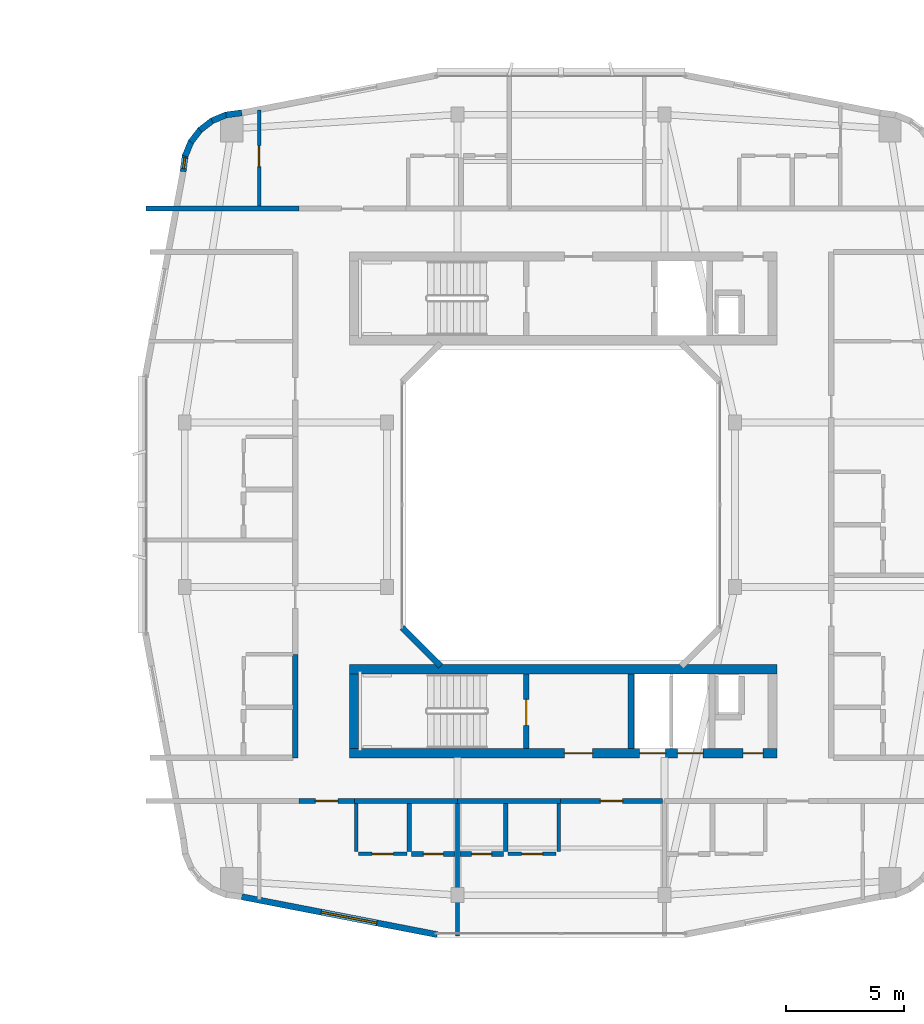
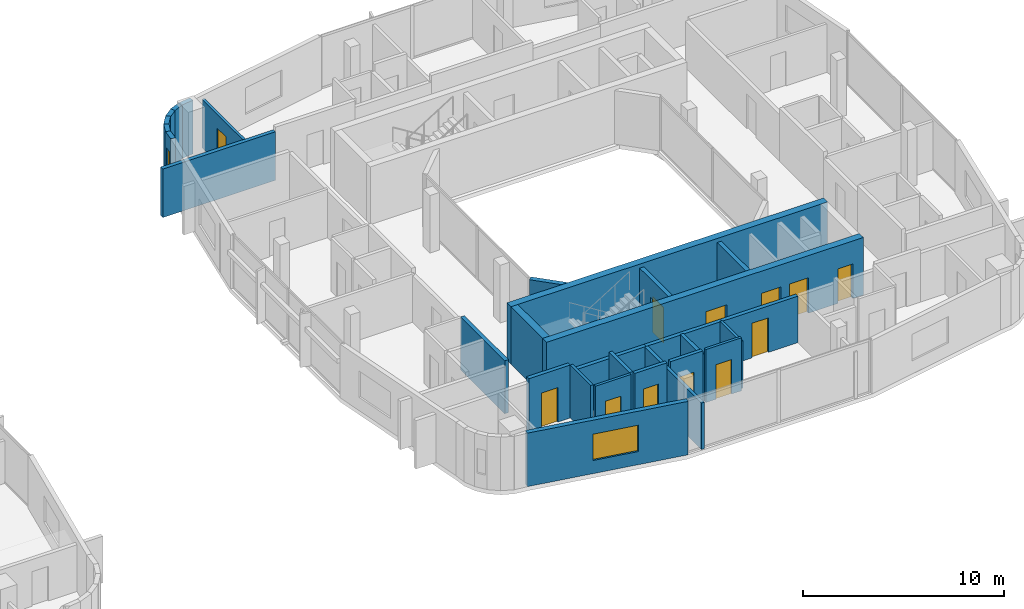
# One storey, part 17 of 26: 29 walls, 12 doors, 2 windows, 14 openings.
"""IFC4 building model written with IfcOpenShell, lengths in metres."""

from ifc_helpers import new_model, si_unit, derived_unit, direction, frame, frame_2d, origin, place, context, subcontext, project, spatial, rectangle, extrude, material, layer, layer_set, type_object, element, fill, save


model = new_model("IFC4")

# Units and contexts
model_context = context("Model", 3, precision=1e-05, world=origin(), true_north=direction((0.0, 1.0)))
body_context = subcontext(model_context, "Body", "Model", "MODEL_VIEW")
ifc_project = project(units=[si_unit("LENGTHUNIT", "METRE"), si_unit("AREAUNIT", "SQUARE_METRE"), si_unit("VOLUMEUNIT", "CUBIC_METRE"), si_unit("PLANEANGLEUNIT", "RADIAN"), si_unit("MASSUNIT", "GRAM", prefix="KILO"), derived_unit("THERMALTRANSMITTANCEUNIT", [(si_unit("POWERUNIT", "WATT"), 1), (si_unit("LENGTHUNIT", "METRE"), -2), (si_unit("THERMODYNAMICTEMPERATUREUNIT", "KELVIN"), -1)])], contexts=[model_context])

# Site, building, storey
site_placement = place(None, origin())
site = spatial("IfcSite", under=ifc_project, at=site_placement, CompositionType="ELEMENT")
building_placement = place(site_placement, origin())
building = spatial("IfcBuilding", under=site, at=building_placement, Name="Kivonza Crest Hotel", CompositionType="ELEMENT")
storey_placement = place(building_placement, frame((0.0, 0.0, 109.0)))
storey = spatial("IfcBuildingStorey", under=building, at=storey_placement, Name="L29", CompositionType="ELEMENT", Elevation=109.0)

# Walls
ifc_material_1 = material(Name="High-density acoustic masonry inter-tenancy wall", Category="masonry")
ifc_layer_1 = layer(ifc_material_1, 0.179931640625)
ifc_layer_set_1 = layer_set([ifc_layer_1], Name="High-density acoustic masonry inter-tenancy wall")
wall_type_1 = type_object("IfcWallType", Name="WL-ACOU-180", PredefinedType="SOLIDWALL", material=ifc_layer_set_1)
wall_1_placement = place(storey_placement, frame((72.60009765625, 6.659912109375, 0.0), z_axis=(0.0, 0.0, 1.0), x_axis=(0.0, 1.0, 0.0)))
element("IfcWall", 1, at=wall_1_placement, inside=storey, type_object=wall_type_1, Name="L29 interior partition WA-L29-T2S-DIV1", PredefinedType="SOLIDWALL", context=body_context, shape_type="SweptSolid", body=[
    extrude(rectangle(XDim=5.739990234375, YDim=0.179931640625, at=frame_2d((2.8701171875, 0.0))), origin(), (0.0, 0.0, 1.0), 2.824951171875),
])
ifc_material_2 = material(Name="Autoclaved aerated concrete blockwork", Category="masonry")
ifc_layer_2 = layer(ifc_material_2, 0.219970703125)
ifc_layer_set_2 = layer_set([ifc_layer_2], Name="Autoclaved aerated concrete blockwork")
wall_type_2 = type_object("IfcWallType", Name="WL-ACOU-220", PredefinedType="SOLIDWALL", material=ifc_layer_set_2)
wall_2_placement = place(storey_placement, frame((59.360107421875, 37.60009765625, 0.0), z_axis=(0.0, 0.0, 1.0), x_axis=(1.0, 0.0, 0.0)))
element("IfcWall", 2, at=wall_2_placement, inside=storey, type_object=wall_type_2, Name="L29 interior partition WA-L29-A01-LCORR", PredefinedType="SOLIDWALL", context=body_context, shape_type="SweptSolid", body=[
    extrude(rectangle(XDim=6.489990234375, YDim=0.219970703125, at=frame_2d((3.2451171875, 0.0))), origin(), (0.0, 0.0, 1.0), 2.945068359375),
])
wall_3_placement = place(storey_placement, frame((68.219970703125, 12.39990234375, 0.0), z_axis=(0.0, 0.0, 1.0), x_axis=(1.0, 0.0, 0.0)))
element("IfcWall", 3, at=wall_3_placement, inside=storey, type_object=wall_type_2, Name="L29 interior partition WA-L29-A03-RCORR", PredefinedType="SOLIDWALL", context=body_context, shape_type="SweptSolid", body=[
    extrude(rectangle(XDim=4.380126953125, YDim=0.219970703125, at=frame_2d((2.18994140625, 0.0))), origin(), (0.0, 0.0, 1.0), 2.824951171875),
])

# Wall, opening, door
wall_4_placement = place(storey_placement, frame((65.85009765625, 12.39990234375, 0.0), z_axis=(0.0, 0.0, 1.0), x_axis=(1.0, 0.0, 0.0)))
wall_4 = element("IfcWall", 4, at=wall_4_placement, inside=storey, type_object=wall_type_2, Name="L29 interior partition WA-L29-A03-MCORR", PredefinedType="SOLIDWALL", context=body_context, shape_type="SweptSolid", body=[
    extrude(rectangle(XDim=2.369873046875, YDim=0.219970703125, at=frame_2d((1.18505859375, 0.0))), origin(), (0.0, 0.0, 1.0), 3.219970703125),
])
opening_1_placement = place(wall_4_placement, frame((0.7099609375, 0.0, 0.0)))
opening_1 = element("IfcOpeningElement", 5, at=opening_1_placement, cuts=wall_4, Name="Opening DU-60", PredefinedType="OPENING", context=body_context, shape_type="SweptSolid", body=[
    extrude(rectangle(XDim=0.949951171875, YDim=2.10009765625, at=frame_2d((0.47509765625, 1.050048828125))), frame((0.0, 0.1201171875, 0.0), z_axis=(0.0, -1.0, 0.0), x_axis=(1.0, 0.0, 0.0)), (0.0, 0.0, 1.0), 0.239990234375),
])
ifc_material_3 = material(Name="Hardwood timber oak", Category="wood")
door_type_1 = type_object("IfcDoorType", Name="DR-UNIT-950", OperationType="NOTDEFINED", PredefinedType="DOOR", material=ifc_material_3)
door_1_placement = place(opening_1_placement, frame((0.949951171875, 0.0, 0.0), z_axis=(0.0, 0.0, 1.0), x_axis=(-1.0, 0.0, 0.0)))
door_1 = element("IfcDoor", 6, at=door_1_placement, inside=storey, type_object=door_type_1, Name="L29 A03 apartment entrance fire door", OperationType="SINGLE_SWING_LEFT", OverallHeight=2.10009765625, OverallWidth=0.949951171875, PredefinedType="DOOR", context=body_context, shape_type="SweptSolid", body=[
    extrude(rectangle(XDim=0.949951171875, YDim=2.10009765625, at=frame_2d((0.47509765625, 1.050048828125))), frame((0.0, 0.02490234375, 0.0), z_axis=(0.0, -1.0, 0.0), x_axis=(1.0, 0.0, 0.0)), (0.0, 0.0, 1.0), 0.050048828125),
])
fill(opening_1, door_1)

# Wall
wall_5_placement = place(storey_placement, frame((72.60009765625, 12.39990234375, 0.0), z_axis=(0.0, 0.0, 1.0), x_axis=(1.0, 0.0, 0.0)))
element("IfcWall", 7, at=wall_5_placement, inside=storey, type_object=wall_type_2, Name="L29 interior partition WA-L29-A04-LCORR", PredefinedType="SOLIDWALL", context=body_context, shape_type="SweptSolid", body=[
    extrude(rectangle(XDim=4.3798828125, YDim=0.219970703125, at=frame_2d((2.18994140625, 0.0))), origin(), (0.0, 0.0, 1.0), 2.824951171875),
])

# Wall, opening, door
wall_6_placement = place(storey_placement, frame((76.97998046875, 12.39990234375, 0.0), z_axis=(0.0, 0.0, 1.0), x_axis=(1.0, 0.0, 0.0)))
wall_6 = element("IfcWall", 8, at=wall_6_placement, inside=storey, type_object=wall_type_2, Name="L29 interior partition WA-L29-A04-MCORR", PredefinedType="SOLIDWALL", context=body_context, shape_type="SweptSolid", body=[
    extrude(rectangle(XDim=4.340087890625, YDim=0.219970703125, at=frame_2d((2.169921875, 0.0))), origin(), (0.0, 0.0, 1.0), 2.824951171875),
])
opening_2_placement = place(wall_6_placement, frame((1.695068359375, 0.0, 0.0)))
opening_2 = element("IfcOpeningElement", 9, at=opening_2_placement, cuts=wall_6, Name="Opening DU-60", PredefinedType="OPENING", context=body_context, shape_type="SweptSolid", body=[
    extrude(rectangle(XDim=0.949951171875, YDim=2.10009765625, at=frame_2d((0.47509765625, 1.050048828125))), frame((0.0, 0.1201171875, 0.0), z_axis=(0.0, -1.0, 0.0), x_axis=(1.0, 0.0, 0.0)), (0.0, 0.0, 1.0), 0.239990234375),
])
door_2_placement = place(opening_2_placement, frame((0.949951171875, 0.0, 0.0), z_axis=(0.0, 0.0, 1.0), x_axis=(-1.0, 0.0, 0.0)))
door_2 = element("IfcDoor", 10, at=door_2_placement, inside=storey, type_object=door_type_1, Name="L29 A04 apartment entrance fire door", OperationType="SINGLE_SWING_RIGHT", OverallHeight=2.10009765625, OverallWidth=0.949951171875, PredefinedType="DOOR", context=body_context, shape_type="SweptSolid", body=[
    extrude(rectangle(XDim=0.949951171875, YDim=2.10009765625, at=frame_2d((0.47509765625, 1.050048828125))), frame((0.0, 0.02490234375, 0.0), z_axis=(0.0, -1.0, 0.0), x_axis=(1.0, 0.0, 0.0)), (0.0, 0.0, 1.0), 0.050048828125),
])
fill(opening_2, door_2)

# Wall
wall_7_placement = place(storey_placement, frame((65.699951171875, 14.239990234375, 0.0), z_axis=(0.0, 0.0, 1.0), x_axis=(0.0, 1.0, 0.0)))
element("IfcWall", 11, at=wall_7_placement, inside=storey, type_object=wall_type_2, Name="L29 interior partition WA-L29-A06-BCORR", PredefinedType="SOLIDWALL", context=body_context, shape_type="SweptSolid", body=[
    extrude(rectangle(XDim=4.39990234375, YDim=0.219970703125, at=frame_2d((2.199951171875, 0.0))), origin(), (0.0, 0.0, 1.0), 3.219970703125),
])

# Wall, openings, doors
ifc_material_4 = material(Name="Concrete C50/60", Category="concrete")
ifc_layer_3 = layer(ifc_material_4, 0.39990234375)
ifc_layer_set_3 = layer_set([ifc_layer_3], Name="Concrete C50/60")
wall_type_3 = type_object("IfcWallType", Name="WL-CORE-400", PredefinedType="SHEAR", material=ifc_layer_set_3)
wall_8_placement = place(storey_placement, frame((68.0, 14.43994140625, 0.0), z_axis=(0.0, 0.0, 1.0), x_axis=(1.0, 0.0, 0.0)))
wall_8 = element("IfcWall", 12, at=wall_8_placement, inside=storey, type_object=wall_type_3, Name="Core wall T2-S South L29", PredefinedType="SHEAR", context=body_context, shape_type="SweptSolid", body=[
    extrude(rectangle(XDim=18.199951171875, YDim=0.39990234375, at=frame_2d((9.10009765625, 0.0))), origin(), (0.0, 0.0, 1.0), 3.5),
])
opening_3_placement = place(wall_8_placement, frame((9.14990234375, 0.0, 0.0)))
opening_3 = element("IfcOpeningElement", 13, at=opening_3_placement, cuts=wall_8, Name="Opening DF-60", PredefinedType="OPENING", context=body_context, shape_type="SweptSolid", body=[
    extrude(rectangle(XDim=1.199951171875, YDim=2.14990234375, at=frame_2d((0.60009765625, 1.074951171875))), frame((0.0, 0.2099609375, 0.0), z_axis=(0.0, -1.0, 0.0), x_axis=(1.0, 0.0, 0.0)), (0.0, 0.0, 1.0), 0.419921875),
])
opening_4_placement = place(wall_8_placement, frame((16.75, 0.0, 0.0)))
opening_4 = element("IfcOpeningElement", 14, at=opening_4_placement, cuts=wall_8, Name="Opening DF-60R", PredefinedType="OPENING", context=body_context, shape_type="SweptSolid", body=[
    extrude(rectangle(XDim=0.85009765625, YDim=2.10009765625, at=frame_2d((0.425048828125, 1.050048828125))), frame((0.0, 0.2099609375, 0.0), z_axis=(0.0, -1.0, 0.0), x_axis=(1.0, 0.0, 0.0)), (0.0, 0.0, 1.0), 0.419921875),
])
opening_5_placement = place(wall_8_placement, frame((12.35009765625, 0.0, 0.0)))
opening_5 = element("IfcOpeningElement", 15, at=opening_5_placement, cuts=wall_8, Name="Opening LD-120", PredefinedType="OPENING", context=body_context, shape_type="SweptSolid", body=[
    extrude(rectangle(XDim=1.10009765625, YDim=2.14990234375, at=frame_2d((0.550048828125, 1.074951171875))), frame((0.0, 0.2099609375, 0.0), z_axis=(0.0, -1.0, 0.0), x_axis=(1.0, 0.0, 0.0)), (0.0, 0.0, 1.0), 0.419921875),
])
opening_6_placement = place(wall_8_placement, frame((13.949951171875, 0.0, 0.0)))
opening_6 = element("IfcOpeningElement", 16, at=opening_6_placement, cuts=wall_8, Name="Opening LD-120", PredefinedType="OPENING", context=body_context, shape_type="SweptSolid", body=[
    extrude(rectangle(XDim=1.10009765625, YDim=2.14990234375, at=frame_2d((0.550048828125, 1.074951171875))), frame((0.0, 0.2099609375, 0.0), z_axis=(0.0, -1.0, 0.0), x_axis=(1.0, 0.0, 0.0)), (0.0, 0.0, 1.0), 0.419921875),
])
door_type_2 = type_object("IfcDoorType", Name="DR-FD60-1200", OperationType="NOTDEFINED", PredefinedType="DOOR", material=ifc_material_3)
door_3_placement = place(opening_3_placement, frame((1.199951171875, 0.0, 0.0), z_axis=(0.0, 0.0, 1.0), x_axis=(-1.0, 0.0, 0.0)))
door_3 = element("IfcDoor", 17, at=door_3_placement, inside=storey, type_object=door_type_2, Name="L29 T2-S firefighting lobby fire door", OperationType="SINGLE_SWING_LEFT", OverallHeight=2.14990234375, OverallWidth=1.199951171875, PredefinedType="DOOR", context=body_context, shape_type="SweptSolid", body=[
    extrude(rectangle(XDim=1.199951171875, YDim=2.14990234375, at=frame_2d((0.60009765625, 1.074951171875))), frame((0.0, 0.02490234375, 0.0), z_axis=(0.0, -1.0, 0.0), x_axis=(1.0, 0.0, 0.0)), (0.0, 0.0, 1.0), 0.050048828125),
])
fill(opening_3, door_3)
door_type_3 = type_object("IfcDoorType", Name="DR-FD60-850", OperationType="NOTDEFINED", PredefinedType="DOOR", material=ifc_material_3)
door_4_placement = place(opening_4_placement, frame((0.85009765625, 0.0, 0.0), z_axis=(0.0, 0.0, 1.0), x_axis=(-1.0, 0.0, 0.0)))
door_4 = element("IfcDoor", 18, at=door_4_placement, inside=storey, type_object=door_type_3, Name="L29 T2-S core room door", OperationType="SINGLE_SWING_RIGHT", OverallHeight=2.10009765625, OverallWidth=0.85009765625, PredefinedType="DOOR", context=body_context, shape_type="SweptSolid", body=[
    extrude(rectangle(XDim=0.85009765625, YDim=2.10009765625, at=frame_2d((0.425048828125, 1.050048828125))), frame((0.0, 0.02490234375, 0.0), z_axis=(0.0, -1.0, 0.0), x_axis=(1.0, 0.0, 0.0)), (0.0, 0.0, 1.0), 0.050048828125),
])
fill(opening_4, door_4)
ifc_material_5 = material(Name="Stainless steel", Category="steel")
door_type_4 = type_object("IfcDoorType", Name="DR-LD120-1100", OperationType="NOTDEFINED", PredefinedType="DOOR", material=ifc_material_5)
door_5_placement = place(opening_5_placement, frame((1.10009765625, 0.0, 0.0), z_axis=(0.0, 0.0, 1.0), x_axis=(-1.0, 0.0, 0.0)))
door_5 = element("IfcDoor", 19, at=door_5_placement, inside=storey, type_object=door_type_4, Name="L29 PL-T2-1 passenger lift sliding landing door", OperationType="DOUBLE_DOOR_SLIDING", OverallHeight=2.14990234375, OverallWidth=1.10009765625, PredefinedType="DOOR", context=body_context, shape_type="SweptSolid", body=[
    extrude(rectangle(XDim=1.10009765625, YDim=2.14990234375, at=frame_2d((0.550048828125, 1.074951171875))), frame((0.0, 0.02490234375, 0.0), z_axis=(0.0, -1.0, 0.0), x_axis=(1.0, 0.0, 0.0)), (0.0, 0.0, 1.0), 0.050048828125),
])
fill(opening_5, door_5)
door_6_placement = place(opening_6_placement, frame((1.10009765625, 0.0, 0.0), z_axis=(0.0, 0.0, 1.0), x_axis=(-1.0, 0.0, 0.0)))
door_6 = element("IfcDoor", 20, at=door_6_placement, inside=storey, type_object=door_type_4, Name="L29 PL-T2-2 passenger lift sliding landing door", OperationType="DOUBLE_DOOR_SLIDING", OverallHeight=2.14990234375, OverallWidth=1.10009765625, PredefinedType="DOOR", context=body_context, shape_type="SweptSolid", body=[
    extrude(rectangle(XDim=1.10009765625, YDim=2.14990234375, at=frame_2d((0.550048828125, 1.074951171875))), frame((0.0, 0.02490234375, 0.0), z_axis=(0.0, -1.0, 0.0), x_axis=(1.0, 0.0, 0.0)), (0.0, 0.0, 1.0), 0.050048828125),
])
fill(opening_6, door_6)

# Walls
wall_9_placement = place(storey_placement, frame((68.0, 18.0, 0.0), z_axis=(0.0, 0.0, 1.0), x_axis=(1.0, 0.0, 0.0)))
element("IfcWall", 21, at=wall_9_placement, inside=storey, type_object=wall_type_3, Name="Core wall T2-S North L29", PredefinedType="SHEAR", context=body_context, shape_type="SweptSolid", body=[
    extrude(rectangle(XDim=18.199951171875, YDim=0.39990234375, at=frame_2d((9.10009765625, 0.0))), origin(), (0.0, 0.0, 1.0), 3.5),
])
wall_10_placement = place(storey_placement, frame((68.199951171875, 14.639892578125, 0.0), z_axis=(0.0, 0.0, 1.0), x_axis=(0.0, 1.0, 0.0)))
element("IfcWall", 22, at=wall_10_placement, inside=storey, type_object=wall_type_3, Name="Core wall T2-S West L29", PredefinedType="SHEAR", context=body_context, shape_type="SweptSolid", body=[
    extrude(rectangle(XDim=3.16015625, YDim=0.39990234375, at=frame_2d((1.580078125, 0.0))), origin(), (0.0, 0.0, 1.0), 3.5),
])

# Wall, opening, window
ifc_material_6 = material(Name="Precast concrete C40/50", Category="concrete")
ifc_layer_4 = layer(ifc_material_6, 0.260009765625)
ifc_layer_set_4 = layer_set([ifc_layer_4], Name="Precast concrete C40/50")
wall_type_4 = type_object("IfcWallType", Name="WL-EXT-260", PredefinedType="STANDARD", material=ifc_layer_set_4)
wall_11_placement = place(storey_placement, frame((63.4169921875, 8.330078125, 0.0), z_axis=(0.0, 0.0, 1.0), x_axis=(0.981750199588, -0.190175039396, 0.0)))
wall_11 = element("IfcWall", 23, at=wall_11_placement, inside=storey, type_object=wall_type_4, Name="L29 T2 exterior insulated wall 7", PredefinedType="STANDARD", context=body_context, shape_type="SweptSolid", body=[
    extrude(rectangle(XDim=8.476806640625, YDim=0.260009765625, at=frame_2d((4.23828125, 0.0))), origin(), (0.0, 0.0, 1.0), 3.25),
])
opening_7_placement = place(wall_11_placement, frame((3.4541015625, 0.0, 0.800048828125)))
opening_7 = element("IfcOpeningElement", 24, at=opening_7_placement, cuts=wall_11, Name="Opening WN-05", PredefinedType="OPENING", context=body_context, shape_type="SweptSolid", body=[
    extrude(rectangle(XDim=2.39990234375, YDim=1.60009765625, at=frame_2d((1.199951171875, 0.800048828125))), frame((0.0, 0.14013671875, 0.0), z_axis=(0.0, -1.0, 0.0), x_axis=(1.0, 0.0, 0.0)), (0.0, 0.0, 1.0), 0.280029296875),
])
ifc_material_7 = material(Name="Thermally broken bronze aluminium and low-E double glazing", Category="aluminium")
window_type_1 = type_object("IfcWindowType", Name="WN-240x160", PartitioningType="TRIPLE_PANEL_VERTICAL", PredefinedType="WINDOW", material=ifc_material_7)
window_1_placement = place(opening_7_placement, origin())
window_1 = element("IfcWindow", 25, at=window_1_placement, inside=storey, type_object=window_type_1, Name="L29 T2 facade window 7", OverallHeight=1.60009765625, OverallWidth=2.39990234375, PartitioningType="SINGLE_PANEL", PredefinedType="WINDOW", context=body_context, shape_type="SweptSolid", body=[
    extrude(rectangle(XDim=2.39990234375, YDim=1.60009765625, at=frame_2d((1.199951171875, 0.800048828125))), frame((0.0, 0.030029296875, 0.0), z_axis=(0.0, -1.0, 0.0), x_axis=(1.0, 0.0, 0.0)), (0.0, 0.0, 1.0), 0.06005859375),
])
fill(opening_7, window_1)

# Walls
wall_12_placement = place(storey_placement, frame((63.425048828125, 41.672119140625, 0.0), z_axis=(0.0, 0.0, 1.0), x_axis=(-0.991300187529, -0.13162043232, 0.0)))
element("IfcWall", 26, at=wall_12_placement, inside=storey, type_object=wall_type_4, Name="L29 T2 exterior insulated wall 28", PredefinedType="STANDARD", context=body_context, shape_type="SweptSolid", body=[
    extrude(rectangle(XDim=0.677001953125, YDim=0.260009765625, at=frame_2d((0.33837890625, 0.0))), origin(), (0.0, 0.0, 1.0), 3.25),
])
for number, where, z_axis, x_axis, name in (
    (27, (62.800048828125, 41.60107421875, 0.0), (0.0, 0.0, 1.0), (-0.924093981904, -0.382165294877, 0.0), "L29 T2 exterior insulated wall 29"),
    (28, (62.198974609375, 41.364013671875, 0.0), (0.0, 0.0, 1.0), (-0.792637067512, -0.609693758543, 0.0), "L29 T2 exterior insulated wall 30"),
    (29, (61.679931640625, 40.97900390625, 0.0), (0.0, 0.0, 1.0), (-0.609472651958, -0.792807092876, 0.0), "L29 T2 exterior insulated wall 31"),
):
    element("IfcWall", number, at=place(storey_placement, frame(where, z_axis=z_axis, x_axis=x_axis)), inside=storey, type_object=wall_type_4, Name=name, PredefinedType="STANDARD", context=body_context, shape_type="SweptSolid", body=[
        extrude(rectangle(XDim=0.69384765625, YDim=0.260009765625, at=frame_2d((0.346923828125, 0.0))), origin(), (0.0, 0.0, 1.0), 3.25),
    ])
wall_13_placement = place(storey_placement, frame((61.278076171875, 40.472900390625, 0.0), z_axis=(0.0, 0.0, 1.0), x_axis=(-0.382289608286, -0.924042561464, 0.0)))
element("IfcWall", 30, at=wall_13_placement, inside=storey, type_object=wall_type_4, Name="L29 T2 exterior insulated wall 32", PredefinedType="STANDARD", context=body_context, shape_type="SweptSolid", body=[
    extrude(rectangle(XDim=0.693603515625, YDim=0.260009765625, at=frame_2d((0.3466796875, 0.0))), origin(), (0.0, 0.0, 1.0), 3.25),
])

# Wall, opening, window
wall_14_placement = place(storey_placement, frame((61.02099609375, 39.881103515625, 0.0), z_axis=(0.0, 0.0, 1.0), x_axis=(-0.130614135366, -0.991433279471, 0.0)))
wall_14 = element("IfcWall", 31, at=wall_14_placement, inside=storey, type_object=wall_type_4, Name="L29 T2 exterior insulated wall 33", PredefinedType="STANDARD", context=body_context, shape_type="SweptSolid", body=[
    extrude(rectangle(XDim=0.712158203125, YDim=0.260009765625, at=frame_2d((0.35595703125, 0.0))), origin(), (0.0, 0.0, 1.0), 3.25),
])
opening_8_placement = place(wall_14_placement, frame((0.131103515625, 0.0, 0.85009765625)))
opening_8 = element("IfcOpeningElement", 32, at=opening_8_placement, cuts=wall_14, Name="Opening WN-11", PredefinedType="OPENING", context=body_context, shape_type="SweptSolid", body=[
    extrude(rectangle(XDim=0.449951171875, YDim=1.5, at=frame_2d((0.22509765625, 0.75))), frame((0.0, 0.14013671875, 0.0), z_axis=(0.0, -1.0, 0.0), x_axis=(1.0, 0.0, 0.0)), (0.0, 0.0, 1.0), 0.280029296875),
])
window_type_2 = type_object("IfcWindowType", Name="WN-045x150", PartitioningType="SINGLE_PANEL", PredefinedType="WINDOW", material=ifc_material_7)
window_2_placement = place(opening_8_placement, origin())
window_2 = element("IfcWindow", 33, at=window_2_placement, inside=storey, type_object=window_type_2, Name="L29 corner vision window 2", OverallHeight=1.5, OverallWidth=0.449951171875, PartitioningType="SINGLE_PANEL", PredefinedType="WINDOW", context=body_context, shape_type="SweptSolid", body=[
    extrude(rectangle(XDim=0.449951171875, YDim=1.5, at=frame_2d((0.22509765625, 0.75))), frame((0.0, 0.030029296875, 0.0), z_axis=(0.0, -1.0, 0.0), x_axis=(1.0, 0.0, 0.0)), (0.0, 0.0, 1.0), 0.06005859375),
])
fill(opening_8, window_2)

# Wall
wall_15_placement = place(storey_placement, frame((70.243896484375, 19.77197265625, 0.0), z_axis=(0.0, 0.0, 1.0), x_axis=(0.707106781187, -0.707106781187, 0.0)))
element("IfcWall", 34, at=wall_15_placement, inside=storey, type_object=wall_type_4, Name="L29 T2 light-well exterior wall 8", PredefinedType="STANDARD", context=body_context, shape_type="SweptSolid", body=[
    extrude(rectangle(XDim=2.310791015625, YDim=0.260009765625, at=frame_2d((1.1552734375, 0.0))), origin(), (0.0, 0.0, 1.0), 3.25),
])

# Wall, opening, door
ifc_material_8 = material(Name="Twin-stud acoustic gypsum board partition", Category="gypsum")
ifc_layer_5 = layer(ifc_material_8, 0.14990234375)
ifc_layer_set_5 = layer_set([ifc_layer_5], Name="Twin-stud acoustic gypsum board partition")
wall_type_5 = type_object("IfcWallType", Name="WL-PART-150", PredefinedType="PARTITIONING", material=ifc_layer_set_5)
wall_16_placement = place(storey_placement, frame((64.159912109375, 37.699951171875, 0.0), z_axis=(0.0, 0.0, 1.0), x_axis=(0.0, 1.0, 0.0)))
wall_16 = element("IfcWall", 35, at=wall_16_placement, inside=storey, type_object=wall_type_5, Name="L29 interior partition WP-L29-A01-BDW1", PredefinedType="PARTITIONING", context=body_context, shape_type="SweptSolid", body=[
    extrude(rectangle(XDim=4.0859375, YDim=0.14990234375, at=frame_2d((2.04296875, 0.0))), origin(), (0.0, 0.0, 1.0), 2.945068359375),
])
opening_9_placement = place(wall_16_placement, frame((1.679931640625, 0.0, 0.0)))
opening_9 = element("IfcOpeningElement", 36, at=opening_9_placement, cuts=wall_16, Name="Opening DI-90", PredefinedType="OPENING", context=body_context, shape_type="SweptSolid", body=[
    extrude(rectangle(XDim=0.89990234375, YDim=2.10009765625, at=frame_2d((0.449951171875, 1.050048828125))), frame((0.0, 0.0849609375, 0.0), z_axis=(0.0, -1.0, 0.0), x_axis=(1.0, 0.0, 0.0)), (0.0, 0.0, 1.0), 0.169921875),
])
door_type_5 = type_object("IfcDoorType", Name="DR-INT-900", OperationType="NOTDEFINED", PredefinedType="DOOR", material=ifc_material_3)
door_7_placement = place(opening_9_placement, origin())
door_7 = element("IfcDoor", 37, at=door_7_placement, inside=storey, type_object=door_type_5, Name="L29 A01 bedroom 1 door", OperationType="SINGLE_SWING_RIGHT", OverallHeight=2.10009765625, OverallWidth=0.89990234375, PredefinedType="DOOR", context=body_context, shape_type="SweptSolid", body=[
    extrude(rectangle(XDim=0.89990234375, YDim=2.10009765625, at=frame_2d((0.449951171875, 1.050048828125))), frame((0.0, 0.02490234375, 0.0), z_axis=(0.0, -1.0, 0.0), x_axis=(1.0, 0.0, 0.0)), (0.0, 0.0, 1.0), 0.050048828125),
])
fill(opening_9, door_7)

# Wall
wall_17_placement = place(storey_placement, frame((68.300048828125, 10.25, 0.0), z_axis=(0.0, 0.0, 1.0), x_axis=(0.0, 1.0, 0.0)))
element("IfcWall", 38, at=wall_17_placement, inside=storey, type_object=wall_type_5, Name="L29 interior partition WP-L29-A03-KF", PredefinedType="PARTITIONING", context=body_context, shape_type="SweptSolid", body=[
    extrude(rectangle(XDim=2.050048828125, YDim=0.14990234375, at=frame_2d((1.02490234375, 0.0))), origin(), (0.0, 0.0, 1.0), 3.219970703125),
])

# Wall, opening, door
wall_18_placement = place(storey_placement, frame((68.39990234375, 10.14990234375, 0.0), z_axis=(0.0, 0.0, 1.0), x_axis=(1.0, 0.0, 0.0)))
wall_18 = element("IfcWall", 39, at=wall_18_placement, inside=storey, type_object=wall_type_5, Name="L29 interior partition WP-L29-A03-KSVC", PredefinedType="PARTITIONING", context=body_context, shape_type="SweptSolid", body=[
    extrude(rectangle(XDim=2.050048828125, YDim=0.14990234375, at=frame_2d((1.02490234375, 0.0))), origin(), (0.0, 0.0, 1.0), 3.219970703125),
])
opening_10_placement = place(wall_18_placement, frame((0.574951171875, 0.0, 0.0)))
opening_10 = element("IfcOpeningElement", 40, at=opening_10_placement, cuts=wall_18, Name="Opening DI-90", PredefinedType="OPENING", context=body_context, shape_type="SweptSolid", body=[
    extrude(rectangle(XDim=0.89990234375, YDim=2.10009765625, at=frame_2d((0.449951171875, 1.050048828125))), frame((0.0, 0.0849609375, 0.0), z_axis=(0.0, -1.0, 0.0), x_axis=(1.0, 0.0, 0.0)), (0.0, 0.0, 1.0), 0.169921875),
])
door_8_placement = place(opening_10_placement, frame((0.89990234375, 0.0, 0.0), z_axis=(0.0, 0.0, 1.0), x_axis=(-1.0, 0.0, 0.0)))
door_8 = element("IfcDoor", 41, at=door_8_placement, inside=storey, type_object=door_type_5, Name="L29 A03 apartment kitchen door", OperationType="SINGLE_SWING_LEFT", OverallHeight=2.10009765625, OverallWidth=0.89990234375, PredefinedType="DOOR", context=body_context, shape_type="SweptSolid", body=[
    extrude(rectangle(XDim=0.89990234375, YDim=2.10009765625, at=frame_2d((0.449951171875, 1.050048828125))), frame((0.0, 0.02490234375, 0.0), z_axis=(0.0, -1.0, 0.0), x_axis=(1.0, 0.0, 0.0)), (0.0, 0.0, 1.0), 0.050048828125),
])
fill(opening_10, door_8)

# Wall
wall_19_placement = place(storey_placement, frame((76.89990234375, 10.25, 0.0), z_axis=(0.0, 0.0, 1.0), x_axis=(0.0, 1.0, 0.0)))
element("IfcWall", 42, at=wall_19_placement, inside=storey, type_object=wall_type_5, Name="L29 interior partition WP-L29-A04-KF", PredefinedType="PARTITIONING", context=body_context, shape_type="SweptSolid", body=[
    extrude(rectangle(XDim=2.050048828125, YDim=0.14990234375, at=frame_2d((1.02490234375, 0.0))), origin(), (0.0, 0.0, 1.0), 2.864990234375),
])

# Wall, opening, door
wall_20_placement = place(storey_placement, frame((74.75, 10.14990234375, 0.0), z_axis=(0.0, 0.0, 1.0), x_axis=(1.0, 0.0, 0.0)))
wall_20 = element("IfcWall", 43, at=wall_20_placement, inside=storey, type_object=wall_type_5, Name="L29 interior partition WP-L29-A04-KSVC", PredefinedType="PARTITIONING", context=body_context, shape_type="SweptSolid", body=[
    extrude(rectangle(XDim=2.050048828125, YDim=0.14990234375, at=frame_2d((1.02490234375, 0.0))), origin(), (0.0, 0.0, 1.0), 3.219970703125),
])
opening_11_placement = place(wall_20_placement, frame((0.574951171875, 0.0, 0.0)))
opening_11 = element("IfcOpeningElement", 44, at=opening_11_placement, cuts=wall_20, Name="Opening DI-90", PredefinedType="OPENING", context=body_context, shape_type="SweptSolid", body=[
    extrude(rectangle(XDim=0.89990234375, YDim=2.10009765625, at=frame_2d((0.449951171875, 1.050048828125))), frame((0.0, 0.0849609375, 0.0), z_axis=(0.0, -1.0, 0.0), x_axis=(1.0, 0.0, 0.0)), (0.0, 0.0, 1.0), 0.169921875),
])
door_9_placement = place(opening_11_placement, frame((0.89990234375, 0.0, 0.0), z_axis=(0.0, 0.0, 1.0), x_axis=(-1.0, 0.0, 0.0)))
door_9 = element("IfcDoor", 45, at=door_9_placement, inside=storey, type_object=door_type_5, Name="L29 A04 apartment kitchen door", OperationType="SINGLE_SWING_RIGHT", OverallHeight=2.10009765625, OverallWidth=0.89990234375, PredefinedType="DOOR", context=body_context, shape_type="SweptSolid", body=[
    extrude(rectangle(XDim=0.89990234375, YDim=2.10009765625, at=frame_2d((0.449951171875, 1.050048828125))), frame((0.0, 0.02490234375, 0.0), z_axis=(0.0, -1.0, 0.0), x_axis=(1.0, 0.0, 0.0)), (0.0, 0.0, 1.0), 0.050048828125),
])
fill(opening_11, door_9)

# Wall
ifc_material_9 = material(Name="Moisture-resistant plumbing chase partition wall", Category="gypsum")
ifc_layer_6 = layer(ifc_material_9, 0.199951171875)
ifc_layer_set_6 = layer_set([ifc_layer_6], Name="Moisture-resistant plumbing chase partition wall")
wall_type_6 = type_object("IfcWallType", Name="WL-PLUMB-200", PredefinedType="PLUMBINGWALL", material=ifc_layer_set_6)
wall_21_placement = place(storey_placement, frame((70.550048828125, 10.25, 0.0), z_axis=(0.0, 0.0, 1.0), x_axis=(0.0, 1.0, 0.0)))
element("IfcWall", 46, at=wall_21_placement, inside=storey, type_object=wall_type_6, Name="L29 interior partition WW-L29-A03-BK", PredefinedType="PLUMBINGWALL", context=body_context, shape_type="SweptSolid", body=[
    extrude(rectangle(XDim=2.050048828125, YDim=0.199951171875, at=frame_2d((1.02490234375, 0.0))), origin(), (0.0, 0.0, 1.0), 3.219970703125),
])

# Wall, opening, door
wall_22_placement = place(storey_placement, frame((70.64990234375, 10.14990234375, 0.0), z_axis=(0.0, 0.0, 1.0), x_axis=(1.0, 0.0, 0.0)))
wall_22 = element("IfcWall", 47, at=wall_22_placement, inside=storey, type_object=wall_type_6, Name="L29 interior partition WW-L29-A03-BSVC", PredefinedType="PLUMBINGWALL", context=body_context, shape_type="SweptSolid", body=[
    extrude(rectangle(XDim=1.85009765625, YDim=0.199951171875, at=frame_2d((0.925048828125, 0.0))), origin(), (0.0, 0.0, 1.0), 3.219970703125),
])
opening_12_placement = place(wall_22_placement, frame((0.5, 0.0, 0.0)))
opening_12 = element("IfcOpeningElement", 48, at=opening_12_placement, cuts=wall_22, Name="Opening DI-85", PredefinedType="OPENING", context=body_context, shape_type="SweptSolid", body=[
    extrude(rectangle(XDim=0.85009765625, YDim=2.10009765625, at=frame_2d((0.425048828125, 1.050048828125))), frame((0.0, 0.10986328125, 0.0), z_axis=(0.0, -1.0, 0.0), x_axis=(1.0, 0.0, 0.0)), (0.0, 0.0, 1.0), 0.219970703125),
])
door_type_6 = type_object("IfcDoorType", Name="DR-INT-850", OperationType="NOTDEFINED", PredefinedType="DOOR", material=ifc_material_3)
door_10_placement = place(opening_12_placement, frame((0.85009765625, 0.0, 0.0), z_axis=(0.0, 0.0, 1.0), x_axis=(-1.0, 0.0, 0.0)))
door_10 = element("IfcDoor", 49, at=door_10_placement, inside=storey, type_object=door_type_6, Name="L29 A03 apartment bathroom door", OperationType="SINGLE_SWING_RIGHT", OverallHeight=2.10009765625, OverallWidth=0.85009765625, PredefinedType="DOOR", context=body_context, shape_type="SweptSolid", body=[
    extrude(rectangle(XDim=0.85009765625, YDim=2.10009765625, at=frame_2d((0.425048828125, 1.050048828125))), frame((0.0, 0.02490234375, 0.0), z_axis=(0.0, -1.0, 0.0), x_axis=(1.0, 0.0, 0.0)), (0.0, 0.0, 1.0), 0.050048828125),
])
fill(opening_12, door_10)

# Wall
wall_23_placement = place(storey_placement, frame((74.64990234375, 10.25, 0.0), z_axis=(0.0, 0.0, 1.0), x_axis=(0.0, 1.0, 0.0)))
element("IfcWall", 50, at=wall_23_placement, inside=storey, type_object=wall_type_6, Name="L29 interior partition WW-L29-A04-BK", PredefinedType="PLUMBINGWALL", context=body_context, shape_type="SweptSolid", body=[
    extrude(rectangle(XDim=2.050048828125, YDim=0.199951171875, at=frame_2d((1.02490234375, 0.0))), origin(), (0.0, 0.0, 1.0), 2.864990234375),
])

# Wall, opening, door
wall_24_placement = place(storey_placement, frame((72.699951171875, 10.14990234375, 0.0), z_axis=(0.0, 0.0, 1.0), x_axis=(1.0, 0.0, 0.0)))
wall_24 = element("IfcWall", 51, at=wall_24_placement, inside=storey, type_object=wall_type_6, Name="L29 interior partition WW-L29-A04-BSVC", PredefinedType="PLUMBINGWALL", context=body_context, shape_type="SweptSolid", body=[
    extrude(rectangle(XDim=1.85009765625, YDim=0.199951171875, at=frame_2d((0.925048828125, 0.0))), origin(), (0.0, 0.0, 1.0), 3.219970703125),
])
opening_13_placement = place(wall_24_placement, frame((0.5, 0.0, 0.0)))
opening_13 = element("IfcOpeningElement", 52, at=opening_13_placement, cuts=wall_24, Name="Opening DI-85", PredefinedType="OPENING", context=body_context, shape_type="SweptSolid", body=[
    extrude(rectangle(XDim=0.85009765625, YDim=2.10009765625, at=frame_2d((0.425048828125, 1.050048828125))), frame((0.0, 0.10986328125, 0.0), z_axis=(0.0, -1.0, 0.0), x_axis=(1.0, 0.0, 0.0)), (0.0, 0.0, 1.0), 0.219970703125),
])
door_11_placement = place(opening_13_placement, frame((0.85009765625, 0.0, 0.0), z_axis=(0.0, 0.0, 1.0), x_axis=(-1.0, 0.0, 0.0)))
door_11 = element("IfcDoor", 53, at=door_11_placement, inside=storey, type_object=door_type_6, Name="L29 A04 apartment bathroom door", OperationType="SINGLE_SWING_LEFT", OverallHeight=2.10009765625, OverallWidth=0.85009765625, PredefinedType="DOOR", context=body_context, shape_type="SweptSolid", body=[
    extrude(rectangle(XDim=0.85009765625, YDim=2.10009765625, at=frame_2d((0.425048828125, 1.050048828125))), frame((0.0, 0.02490234375, 0.0), z_axis=(0.0, -1.0, 0.0), x_axis=(1.0, 0.0, 0.0)), (0.0, 0.0, 1.0), 0.050048828125),
])
fill(opening_13, door_11)

ifc_layer_7 = layer(ifc_material_4, 0.25)
ifc_layer_set_7 = layer_set([ifc_layer_7], Name="Concrete C50/60")
wall_type_7 = type_object("IfcWallType", Name="WL-SHAFT-250", PredefinedType="STANDARD", material=ifc_layer_set_7)
wall_25_placement = place(storey_placement, frame((75.52490234375, 14.639892578125, 0.0), z_axis=(0.0, 0.0, 1.0), x_axis=(0.0, 1.0, 0.0)))
wall_25 = element("IfcWall", 54, at=wall_25_placement, inside=storey, type_object=wall_type_7, Name="Core shaft wall T2-S STAIR L29", PredefinedType="STANDARD", context=body_context, shape_type="SweptSolid", body=[
    extrude(rectangle(XDim=3.16015625, YDim=0.25, at=frame_2d((1.580078125, 0.0))), origin(), (0.0, 0.0, 1.0), 3.25),
])
opening_14_placement = place(wall_25_placement, frame((0.97998046875, 0.0, 0.0)))
opening_14 = element("IfcOpeningElement", 55, at=opening_14_placement, cuts=wall_25, Name="Opening DF-120", PredefinedType="OPENING", context=body_context, shape_type="SweptSolid", body=[
    extrude(rectangle(XDim=1.10009765625, YDim=2.14990234375, at=frame_2d((0.550048828125, 1.074951171875))), frame((0.0, 0.135009765625, 0.0), z_axis=(0.0, -1.0, 0.0), x_axis=(1.0, 0.0, 0.0)), (0.0, 0.0, 1.0), 0.27001953125),
])
ifc_material_10 = material(Name="Galvanised steel", Category="steel")
door_type_7 = type_object("IfcDoorType", Name="DR-FD120-1100", OperationType="NOTDEFINED", PredefinedType="DOOR", material=ifc_material_10)
door_12_placement = place(opening_14_placement, frame((1.10009765625, 0.0, 0.0), z_axis=(0.0, 0.0, 1.0), x_axis=(-1.0, 0.0, 0.0)))
door_12 = element("IfcDoor", 56, at=door_12_placement, inside=storey, type_object=door_type_7, Name="L29 T2-S stair fire door", OperationType="SINGLE_SWING_RIGHT", OverallHeight=2.14990234375, OverallWidth=1.10009765625, PredefinedType="DOOR", context=body_context, shape_type="SweptSolid", body=[
    extrude(rectangle(XDim=1.10009765625, YDim=2.14990234375, at=frame_2d((0.550048828125, 1.074951171875))), frame((0.0, 0.02490234375, 0.0), z_axis=(0.0, -1.0, 0.0), x_axis=(1.0, 0.0, 0.0)), (0.0, 0.0, 1.0), 0.050048828125),
])
fill(opening_14, door_12)

# Wall
wall_26_placement = place(storey_placement, frame((79.97509765625, 14.639892578125, 0.0), z_axis=(0.0, 0.0, 1.0), x_axis=(0.0, 1.0, 0.0)))
element("IfcWall", 57, at=wall_26_placement, inside=storey, type_object=wall_type_7, Name="Core shaft wall T2-S BANK-W L29", PredefinedType="STANDARD", context=body_context, shape_type="SweptSolid", body=[
    extrude(rectangle(XDim=3.16015625, YDim=0.25, at=frame_2d((1.580078125, 0.0))), origin(), (0.0, 0.0, 1.0), 3.25),
])

save(model, "model.ifc")
